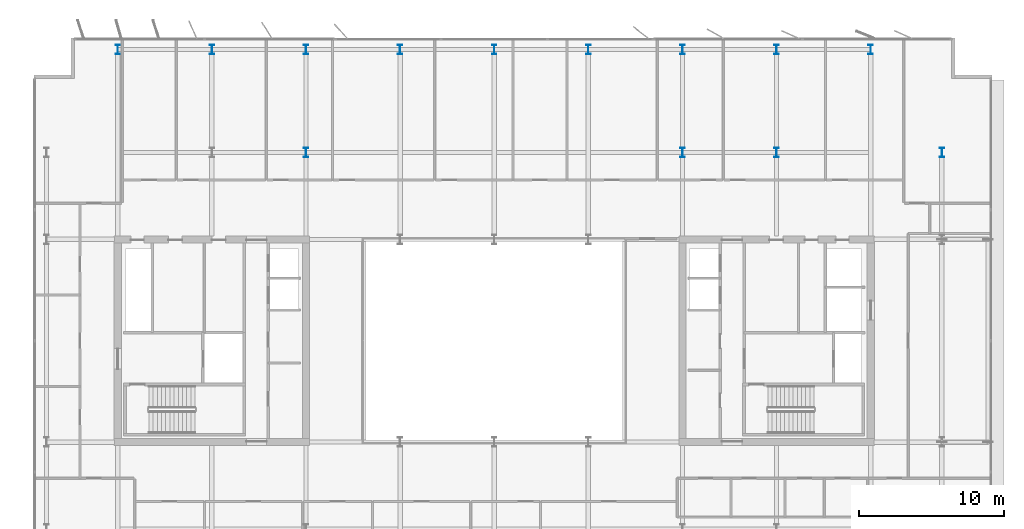
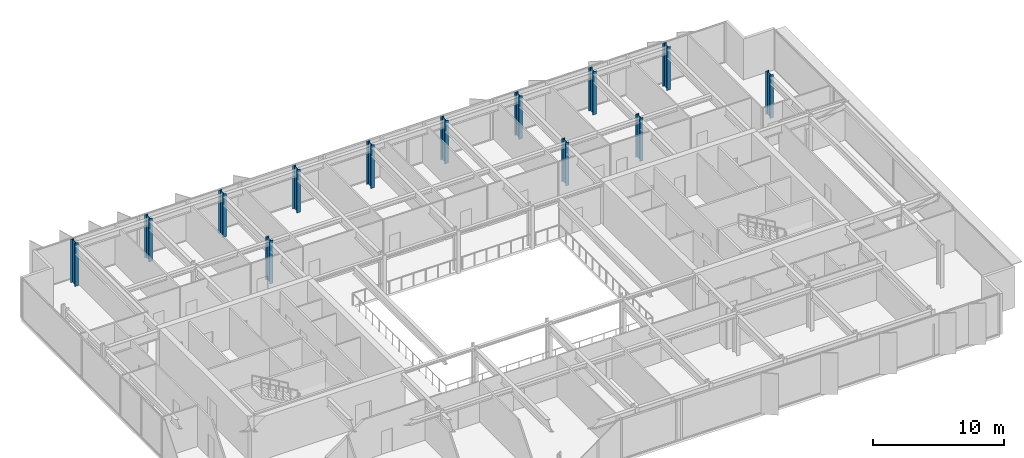
# One storey, part 3 of 20: 13 columns.
"""IFC4 building model written with IfcOpenShell, lengths in metres."""

from ifc_helpers import new_model, si_unit, direction, frame, origin, origin_2d, place, context, subcontext, project, spatial, i_section, extrude, material, material_profile, profile_set, type_object, element, save


model = new_model("IFC4")

# Units and contexts
model_context = context("Model", 3, precision=1e-05, world=origin(), true_north=direction((0.0, 1.0)))
body_context = subcontext(model_context, "Body", "Model", "MODEL_VIEW")
ifc_project = project(units=[si_unit("LENGTHUNIT", "METRE"), si_unit("AREAUNIT", "SQUARE_METRE"), si_unit("VOLUMEUNIT", "CUBIC_METRE"), si_unit("PLANEANGLEUNIT", "RADIAN"), si_unit("MASSUNIT", "GRAM", prefix="KILO")], contexts=[model_context])

# Site, building, storey
site_placement = place(None, origin())
site = spatial("IfcSite", under=ifc_project, at=site_placement, CompositionType="ELEMENT")
building_placement = place(site_placement, origin())
building = spatial("IfcBuilding", under=site, at=building_placement, Name="Putna Gate Headquarters", CompositionType="ELEMENT")
storey_placement = place(building_placement, frame((0.0, 0.0, 290.39990234375)))
storey = spatial("IfcBuildingStorey", under=building, at=storey_placement, Name="L73", CompositionType="ELEMENT", Elevation=290.39990234375)

# Columns
ifc_material = material(Name="Steel S460M", Category="steel")
ifc_material_profile_1 = material_profile(ifc_material, i_section(OverallWidth=0.304931640625, OverallDepth=0.66796875, WebThickness=0.02099609375, FlangeThickness=0.0400390625, at=origin_2d()), Name="Steel S460M")
ifc_profile_set_1 = profile_set([ifc_material_profile_1], Name="Steel S460M")
column_type_1 = type_object("IfcColumnType", Name="COL-STL-HEM650-EXT", PredefinedType="COLUMN", material=ifc_profile_set_1)
for number, where, z_axis, x_axis, name in (
    (1, (13.0, 46.1201171875, 0.0), (0.0, 0.0, 1.0), (1.0, 0.0, 0.0), "L73 Column CP-N13"),
    (2, (19.5, 46.1201171875, 0.0), (0.0, 0.0, 1.0), (1.0, 0.0, 0.0), "L73 Column CP-N19"),
    (3, (26.0, 46.1201171875, 0.0), (0.0, 0.0, 1.0), (1.0, 0.0, 0.0), "L73 Column CP-N26"),
    (4, (32.5, 46.1201171875, 0.0), (0.0, 0.0, 1.0), (1.0, 0.0, 0.0), "L73 Column CP-N32"),
    (5, (39.0, 46.1201171875, 0.0), (0.0, 0.0, 1.0), (1.0, 0.0, 0.0), "L73 Column CP-N39"),
    (6, (45.5, 46.1201171875, 0.0), (0.0, 0.0, 1.0), (1.0, 0.0, 0.0), "L73 Column CP-N45"),
    (7, (52.0, 46.1201171875, 0.0), (0.0, 0.0, 1.0), (1.0, 0.0, 0.0), "L73 Column CP-N52"),
    (8, (58.5, 46.1201171875, 0.0), (0.0, 0.0, 1.0), (1.0, 0.0, 0.0), "L73 Column CP-N58"),
    (9, (65.0, 46.1201171875, 0.0), (0.0, 0.0, 1.0), (1.0, 0.0, 0.0), "L73 Column CP-N65"),
    (10, (69.919921875, 39.0, 0.0), (0.0, 0.0, 1.0), (1.0, 0.0, 0.0), "L73 Column CP-E39"),
):
    element("IfcColumn", number, at=place(storey_placement, frame(where, z_axis=z_axis, x_axis=x_axis)), inside=storey, type_object=column_type_1, Name=name, PredefinedType="COLUMN", context=body_context, shape_type="SweptSolid", body=[
        extrude(i_section(OverallWidth=0.304931640625, OverallDepth=0.66796875, WebThickness=0.02099609375, FlangeThickness=0.0400390625, at=origin_2d()), origin(), (0.0, 0.0, 1.0), 4.0),
    ])
ifc_material_profile_2 = material_profile(ifc_material, i_section(OverallWidth=0.304931640625, OverallDepth=0.66796875, WebThickness=0.02099609375, FlangeThickness=0.0400390625, at=origin_2d()), Name="Steel S460M")
ifc_profile_set_2 = profile_set([ifc_material_profile_2], Name="Steel S460M")
column_type_2 = type_object("IfcColumnType", Name="COL-STL-HEM650-INT", PredefinedType="COLUMN", material=ifc_profile_set_2)
for number, where, z_axis, x_axis, name in (
    (11, (58.5, 39.0, 0.0), (0.0, 0.0, 1.0), (1.0, 0.0, 0.0), "L73 Column CSI-EN"),
    (12, (26.0, 39.0, 0.0), (0.0, 0.0, 1.0), (1.0, 0.0, 0.0), "L73 Column CAP-WN"),
    (13, (52.0, 39.0, 0.0), (0.0, 0.0, 1.0), (1.0, 0.0, 0.0), "L73 Column CAP-EN"),
):
    element("IfcColumn", number, at=place(storey_placement, frame(where, z_axis=z_axis, x_axis=x_axis)), inside=storey, type_object=column_type_2, Name=name, PredefinedType="COLUMN", context=body_context, shape_type="SweptSolid", body=[
        extrude(i_section(OverallWidth=0.304931640625, OverallDepth=0.66796875, WebThickness=0.02099609375, FlangeThickness=0.0400390625, at=origin_2d()), origin(), (0.0, 0.0, 1.0), 4.0),
    ])

save(model, "model.ifc")
